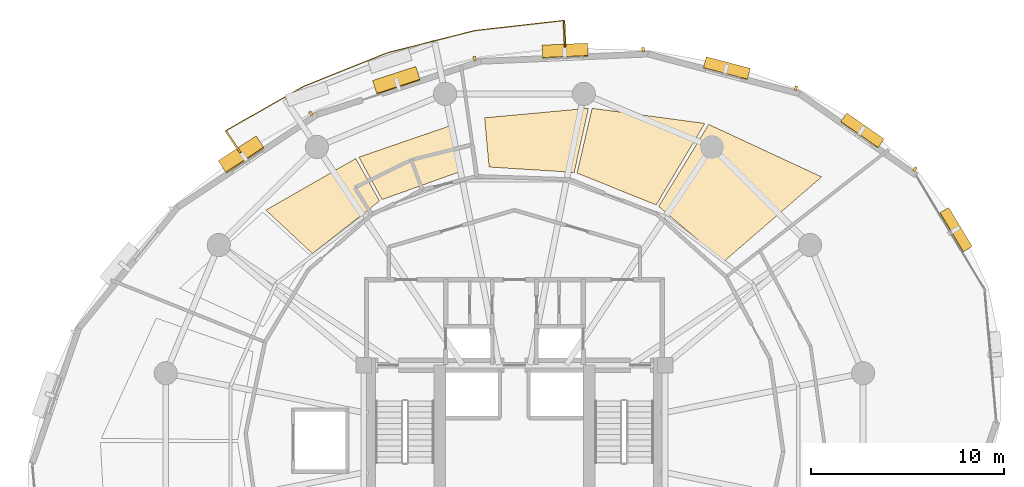
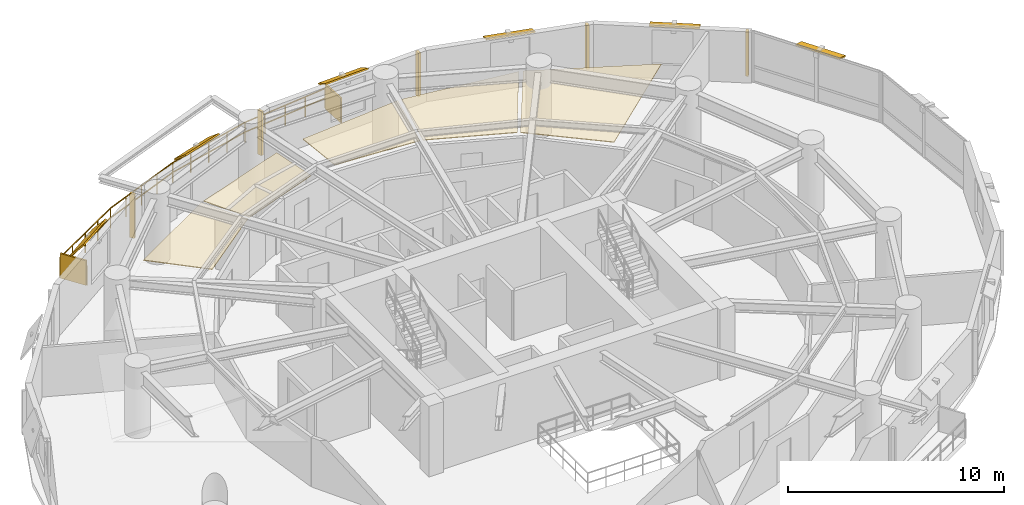
# One storey, part 15 of 15: 13 shading devices, 5 coverings, 1 railing.
"""IFC4 building model written with IfcOpenShell, lengths in metres."""

from ifc_helpers import new_model, si_unit, direction, frame, origin, origin_2d, place, context, subcontext, project, spatial, polyline, rectangle, outline, extrude, material, layer, layer_set, type_object, element, save


model = new_model("IFC4")

# Units and contexts
model_context = context("Model", 3, precision=1e-05, world=origin(), true_north=direction((0.0, 1.0)))
body_context = subcontext(model_context, "Body", "Model", "MODEL_VIEW")
ifc_project = project(units=[si_unit("LENGTHUNIT", "METRE"), si_unit("AREAUNIT", "SQUARE_METRE"), si_unit("VOLUMEUNIT", "CUBIC_METRE"), si_unit("PLANEANGLEUNIT", "RADIAN"), si_unit("MASSUNIT", "GRAM", prefix="KILO"), si_unit("THERMODYNAMICTEMPERATUREUNIT", "KELVIN"), si_unit("POWERUNIT", "WATT")], contexts=[model_context])

# Site, building, storey
site_placement = place(None, origin())
site = spatial("IfcSite", under=ifc_project, at=site_placement, CompositionType="ELEMENT")
building_placement = place(site_placement, origin())
building = spatial("IfcBuilding", under=site, at=building_placement, Name="Ocrelia Relay Tower", CompositionType="ELEMENT")
storey_placement = place(building_placement, frame((0.0, 0.0, 109.800048828125)))
storey = spatial("IfcBuildingStorey", under=building, at=storey_placement, Name="L25", CompositionType="ELEMENT", Elevation=109.800048828125)

# Coverings
ifc_material_1 = material(Name="Mineral-fiber acoustic ceiling tile", Category="gypsum")
ifc_layer_1 = layer(ifc_material_1, 0.0400390625, Name="Mineral-fiber acoustic ceiling tile")
ifc_layer_set_1 = layer_set([ifc_layer_1], Name="Mineral-fiber acoustic ceiling tile")
covering_type = type_object("IfcCoveringType", Name="COV-CEIL-ACOUSTIC", PredefinedType="CEILING", material=ifc_layer_set_1)
covering_1_placement = place(storey_placement, frame((0.0, 0.0, 2.719970703125)))
element("IfcCovering", 1, at=covering_1_placement, inside=storey, type_object=covering_type, Name="L25 Network Engineering Office A Suspended Ceiling 1", PredefinedType="CEILING", context=body_context, shape_type="SweptSolid", body=[
    extrude(outline(polyline([(31.304443359375, 40.06396484375), (30.845703125, 42.457763671875), (25.951416015625, 40.772216796875), (27.148681640625, 38.57470703125), (31.304443359375, 40.06396484375)])), origin(), (0.0, 0.0, 1.0), 0.0400390625),
])
covering_2_placement = place(storey_placement, frame((0.0, 0.0, 2.719970703125)))
element("IfcCovering", 2, at=covering_2_placement, inside=storey, type_object=covering_type, Name="L25 Network Engineering Office A Suspended Ceiling 2", PredefinedType="CEILING", context=body_context, shape_type="SweptSolid", body=[
    extrude(outline(polyline([(27.017578125, 38.502197265625), (25.790283203125, 40.69970703125), (21.134765625, 38.031982421875), (23.541259765625, 35.781494140625), (27.017578125, 38.502197265625)])), origin(), (0.0, 0.0, 1.0), 0.0400390625),
])
covering_3_placement = place(storey_placement, frame((0.0, 0.0, 2.719970703125)))
element("IfcCovering", 3, at=covering_3_placement, inside=storey, type_object=covering_type, Name="L25 Shift Staff Lounge Suspended Ceiling 1", PredefinedType="CEILING", context=body_context, shape_type="SweptSolid", body=[
    extrude(outline(polyline([(44.83203125, 35.366455078125), (49.901611328125, 39.750244140625), (44.056884765625, 42.46484375), (41.46435546875, 38.220703125), (44.83203125, 35.366455078125)])), origin(), (0.0, 0.0, 1.0), 0.0400390625),
])
covering_4_placement = place(storey_placement, frame((0.0, 0.0, 2.719970703125)))
element("IfcCovering", 4, at=covering_4_placement, inside=storey, type_object=covering_type, Name="L25 Shift Staff Lounge Suspended Ceiling 2", PredefinedType="CEILING", context=body_context, shape_type="SweptSolid", body=[
    extrude(outline(polyline([(41.3359375, 38.298095703125), (43.854248046875, 42.519775390625), (38.020751953125, 43.30126953125), (37.24169921875, 39.9482421875), (41.3359375, 38.298095703125)])), origin(), (0.0, 0.0, 1.0), 0.0400390625),
])
covering_5_placement = place(storey_placement, frame((0.0, 0.0, 2.719970703125)))
element("IfcCovering", 5, at=covering_5_placement, inside=storey, type_object=covering_type, Name="L25 Shift Staff Lounge Suspended Ceiling 3", PredefinedType="CEILING", context=body_context, shape_type="SweptSolid", body=[
    extrude(outline(polyline([(37.09521484375, 39.9814453125), (37.830810546875, 43.303466796875), (32.455322265625, 42.81005859375), (32.689697265625, 40.260009765625), (37.09521484375, 39.9814453125)])), origin(), (0.0, 0.0, 1.0), 0.0400390625),
])

# Railing
ifc_material_2 = material(Name="Steel S355 balustrade", Category="steel")
railing_type = type_object("IfcRailingType", Name="RL-EXT-GUARD-1150", PredefinedType="GUARDRAIL", material=ifc_material_2)
railing_placement = place(storey_placement, frame((19.82861328125, 40.981201171875, 0.0)))
element("IfcRailing", 6, at=railing_placement, inside=storey, type_object=railing_type, Name="L25 Loggia Balcony Guard Rail B1", PredefinedType="GUARDRAIL", context=body_context, shape_type="SweptSolid", body=[
    extrude(rectangle(XDim=0.048095703125, YDim=0.048095703125, at=origin_2d()), frame((0.0, 0.0, 1.1259765625), z_axis=(-0.554902349709, 0.831915489871, 0.0), x_axis=(-0.831915489871, -0.554902349709, 0.0)), (0.0, 0.0, 1.0), 1.393310546875),
    extrude(rectangle(XDim=0.048095703125, YDim=0.048095703125, at=origin_2d()), frame((0.0, 0.0, 0.574951171875), z_axis=(-0.554902349709, 0.831915489871, 0.0), x_axis=(-0.831915489871, -0.554902349709, 0.0)), (0.0, 0.0, 1.0), 1.393310546875),
    extrude(rectangle(XDim=0.048095703125, YDim=0.048095703125, at=origin_2d()), frame((-0.773193359375, 1.1591796875, 1.1259765625), z_axis=(0.868884753161, 0.495014429813, 0.0), x_axis=(-0.495014429813, 0.868884753161, 0.0)), (0.0, 0.0, 1.0), 2.315673828125),
    extrude(rectangle(XDim=0.048095703125, YDim=0.048095703125, at=origin_2d()), frame((-0.773193359375, 1.1591796875, 0.574951171875), z_axis=(0.868884753161, 0.495014429813, 0.0), x_axis=(-0.495014429813, 0.868884753161, 0.0)), (0.0, 0.0, 1.0), 2.315673828125),
    extrude(rectangle(XDim=0.048095703125, YDim=0.048095703125, at=origin_2d()), frame((1.23876953125, 2.305419921875, 1.1259765625), z_axis=(0.868865242424, 0.495048674887, 0.0), x_axis=(-0.495048674887, 0.868865242424, 0.0)), (0.0, 0.0, 1.0), 2.31591796875),
    extrude(rectangle(XDim=0.048095703125, YDim=0.048095703125, at=origin_2d()), frame((1.23876953125, 2.305419921875, 0.574951171875), z_axis=(0.868865242424, 0.495048674887, 0.0), x_axis=(-0.495048674887, 0.868865242424, 0.0)), (0.0, 0.0, 1.0), 2.31591796875),
    extrude(rectangle(XDim=0.048095703125, YDim=0.048095703125, at=origin_2d()), frame((3.2509765625, 3.451904296875, 1.1259765625), z_axis=(0.927900195964, 0.372828682278, 0.0), x_axis=(-0.372828682278, 0.927900195964, 0.0)), (0.0, 0.0, 1.0), 4.68212890625),
    extrude(rectangle(XDim=0.048095703125, YDim=0.048095703125, at=origin_2d()), frame((3.2509765625, 3.451904296875, 0.574951171875), z_axis=(0.927900195964, 0.372828682278, 0.0), x_axis=(-0.372828682278, 0.927900195964, 0.0)), (0.0, 0.0, 1.0), 4.68212890625),
    extrude(rectangle(XDim=0.048095703125, YDim=0.048095703125, at=origin_2d()), frame((7.595458984375, 5.197509765625, 1.1259765625), z_axis=(0.969411192098, 0.245442336679, 0.0), x_axis=(-0.245442336679, 0.969411192098, 0.0)), (0.0, 0.0, 1.0), 4.68212890625),
    extrude(rectangle(XDim=0.048095703125, YDim=0.048095703125, at=origin_2d()), frame((7.595458984375, 5.197509765625, 0.574951171875), z_axis=(0.969411192098, 0.245442336679, 0.0), x_axis=(-0.245442336679, 0.969411192098, 0.0)), (0.0, 0.0, 1.0), 4.68212890625),
    extrude(rectangle(XDim=0.048095703125, YDim=0.048095703125, at=origin_2d()), frame((12.13427734375, 6.3466796875, 1.1259765625), z_axis=(0.993701122452, 0.112062836109, 0.0), x_axis=(-0.112062836109, 0.993701122452, 0.0)), (0.0, 0.0, 1.0), 2.31591796875),
    extrude(rectangle(XDim=0.048095703125, YDim=0.048095703125, at=origin_2d()), frame((12.13427734375, 6.3466796875, 0.574951171875), z_axis=(0.993701122452, 0.112062836109, 0.0), x_axis=(-0.112062836109, 0.993701122452, 0.0)), (0.0, 0.0, 1.0), 2.31591796875),
    extrude(rectangle(XDim=0.048095703125, YDim=0.048095703125, at=origin_2d()), frame((14.435546875, 6.606201171875, 1.1259765625), z_axis=(0.993712856534, 0.11195873686, 0.0), x_axis=(-0.11195873686, 0.993712856534, 0.0)), (0.0, 0.0, 1.0), 2.31591796875),
    extrude(rectangle(XDim=0.048095703125, YDim=0.048095703125, at=origin_2d()), frame((14.435546875, 6.606201171875, 0.574951171875), z_axis=(0.993712856534, 0.11195873686, 0.0), x_axis=(-0.11195873686, 0.993712856534, 0.0)), (0.0, 0.0, 1.0), 2.31591796875),
    extrude(rectangle(XDim=0.048095703125, YDim=0.048095703125, at=origin_2d()), frame((16.73681640625, 6.865478515625, 1.1259765625), z_axis=(0.041696128443, -0.999130338281, 0.0), x_axis=(0.999130338281, 0.041696128443, 0.0)), (0.0, 0.0, 1.0), 1.3935546875),
    extrude(rectangle(XDim=0.048095703125, YDim=0.048095703125, at=origin_2d()), frame((16.73681640625, 6.865478515625, 0.574951171875), z_axis=(0.041696128443, -0.999130338281, 0.0), x_axis=(0.999130338281, 0.041696128443, 0.0)), (0.0, 0.0, 1.0), 1.3935546875),
    extrude(rectangle(XDim=0.0419921875, YDim=0.0419921875, at=origin_2d()), origin(), (0.0, 0.0, 1.0), 1.101806640625),
    extrude(rectangle(XDim=0.0419921875, YDim=0.0419921875, at=origin_2d()), frame((-0.38671875, 0.57958984375, 0.0)), (0.0, 0.0, 1.0), 1.101806640625),
    extrude(rectangle(XDim=0.0419921875, YDim=0.0419921875, at=origin_2d()), frame((-0.773193359375, 1.1591796875, 0.0)), (0.0, 0.0, 1.0), 1.101806640625),
    extrude(rectangle(XDim=0.0419921875, YDim=0.0419921875, at=origin_2d()), frame((0.23291015625, 1.732421875, 0.0)), (0.0, 0.0, 1.0), 1.101806640625),
    extrude(rectangle(XDim=0.0419921875, YDim=0.0419921875, at=origin_2d()), frame((1.23876953125, 2.305419921875, 0.0)), (0.0, 0.0, 1.0), 1.101806640625),
    extrude(rectangle(XDim=0.0419921875, YDim=0.0419921875, at=origin_2d()), frame((2.244873046875, 2.878662109375, 0.0)), (0.0, 0.0, 1.0), 1.101806640625),
    extrude(rectangle(XDim=0.0419921875, YDim=0.0419921875, at=origin_2d()), frame((3.2509765625, 3.451904296875, 0.0)), (0.0, 0.0, 1.0), 1.101806640625),
    extrude(rectangle(XDim=0.0419921875, YDim=0.0419921875, at=origin_2d()), frame((4.337158203125, 3.88818359375, 0.0)), (0.0, 0.0, 1.0), 1.101806640625),
    extrude(rectangle(XDim=0.0419921875, YDim=0.0419921875, at=origin_2d()), frame((5.42333984375, 4.32470703125, 0.0)), (0.0, 0.0, 1.0), 1.101806640625),
    extrude(rectangle(XDim=0.0419921875, YDim=0.0419921875, at=origin_2d()), frame((6.50927734375, 4.76123046875, 0.0)), (0.0, 0.0, 1.0), 1.101806640625),
    extrude(rectangle(XDim=0.0419921875, YDim=0.0419921875, at=origin_2d()), frame((7.595458984375, 5.197509765625, 0.0)), (0.0, 0.0, 1.0), 1.101806640625),
    extrude(rectangle(XDim=0.0419921875, YDim=0.0419921875, at=origin_2d()), frame((8.730224609375, 5.48486328125, 0.0)), (0.0, 0.0, 1.0), 1.101806640625),
    extrude(rectangle(XDim=0.0419921875, YDim=0.0419921875, at=origin_2d()), frame((9.86474609375, 5.77197265625, 0.0)), (0.0, 0.0, 1.0), 1.101806640625),
    extrude(rectangle(XDim=0.0419921875, YDim=0.0419921875, at=origin_2d()), frame((10.99951171875, 6.059326171875, 0.0)), (0.0, 0.0, 1.0), 1.101806640625),
    extrude(rectangle(XDim=0.0419921875, YDim=0.0419921875, at=origin_2d()), frame((12.13427734375, 6.3466796875, 0.0)), (0.0, 0.0, 1.0), 1.101806640625),
    extrude(rectangle(XDim=0.0419921875, YDim=0.0419921875, at=origin_2d()), frame((13.284912109375, 6.4765625, 0.0)), (0.0, 0.0, 1.0), 1.101806640625),
    extrude(rectangle(XDim=0.0419921875, YDim=0.0419921875, at=origin_2d()), frame((14.435546875, 6.606201171875, 0.0)), (0.0, 0.0, 1.0), 1.101806640625),
    extrude(rectangle(XDim=0.0419921875, YDim=0.0419921875, at=origin_2d()), frame((15.586181640625, 6.73583984375, 0.0)), (0.0, 0.0, 1.0), 1.101806640625),
    extrude(rectangle(XDim=0.0419921875, YDim=0.0419921875, at=origin_2d()), frame((16.73681640625, 6.865478515625, 0.0)), (0.0, 0.0, 1.0), 1.101806640625),
    extrude(rectangle(XDim=0.0419921875, YDim=0.0419921875, at=origin_2d()), frame((16.765869140625, 6.16943359375, 0.0)), (0.0, 0.0, 1.0), 1.101806640625),
    extrude(rectangle(XDim=0.0419921875, YDim=0.0419921875, at=origin_2d()), frame((16.794921875, 5.47314453125, 0.0)), (0.0, 0.0, 1.0), 1.101806640625),
])

# Shading devices
ifc_material_3 = material(Name="Perforated oxide terracotta solar screen", Category="masonry")
ifc_layer_2 = layer(ifc_material_3, 0.090087890625, Name="Perforated oxide terracotta solar screen")
ifc_layer_set_2 = layer_set([ifc_layer_2], Name="Perforated oxide terracotta solar screen")
shading_device_type_1 = type_object("IfcShadingDeviceType", Name="SH-BALC-SCREEN", PredefinedType="USERDEFINED", material=ifc_layer_set_2)
for number, where, z_axis, x_axis, name in (
    (7, (36.594482421875, 47.150390625, 0.0), (0.0, 0.0, 1.0), (-0.041764862886, 0.999127467458, 0.0), "L25 Balcony Perforated Terracotta Screen B1-1"),
    (8, (19.44189453125, 41.560791015625, 0.0), (0.0, 0.0, 1.0), (-0.554898918519, 0.831917778526, 0.0), "L25 Balcony Perforated Terracotta Screen B1-2"),
):
    element("IfcShadingDevice", number, at=place(storey_placement, frame(where, z_axis=z_axis, x_axis=x_axis)), inside=storey, type_object=shading_device_type_1, Name=name, ObjectType="SCREEN", PredefinedType="USERDEFINED", context=body_context, shape_type="SweptSolid", body=[
        extrude(rectangle(XDim=1.340087890625, YDim=0.090087890625, at=origin_2d()), origin(), (0.0, 0.0, 1.0), 1.39990234375),
    ])
ifc_material_4 = material(Name="Extruded oxide terracotta vertical baguette", Category="masonry")
shading_device_type_2 = type_object("IfcShadingDeviceType", Name="SH-TERR-BAGUETTE", PredefinedType="USERDEFINED", material=ifc_material_4)
for number, where, z_axis, x_axis, name in (
    (9, (54.72998046875, 40.1533203125, 0.199951171875), (0.0, 0.0, 1.0), (-0.819851198105, 0.572576643749, 0.0), "L25 Oxide Terracotta Vertical Baguette 02"),
    (10, (48.568115234375, 44.338134765625, 0.199951171875), (0.0, 0.0, 1.0), (-0.96740717635, 0.253225897464, 0.0), "L25 Oxide Terracotta Vertical Baguette 03"),
    (11, (40.660888671875, 46.32421875, 0.199951171875), (0.0, 0.0, 1.0), (-0.999064298858, -0.043249586665, 0.0), "L25 Oxide Terracotta Vertical Baguette 04"),
    (12, (31.9462890625, 45.8740234375, 0.199951171875), (0.0, 0.0, 1.0), (-0.950786541625, -0.309846659278, 0.0), "L25 Oxide Terracotta Vertical Baguette 05"),
    (13, (23.46533203125, 43.033447265625, 0.199951171875), (0.0, 0.0, 1.0), (-0.832713130863, -0.553704652038, 0.0), "L25 Oxide Terracotta Vertical Baguette 06"),
):
    element("IfcShadingDevice", number, at=place(storey_placement, frame(where, z_axis=z_axis, x_axis=x_axis)), inside=storey, type_object=shading_device_type_2, Name=name, ObjectType="BAGUETTE", PredefinedType="USERDEFINED", context=body_context, shape_type="SweptSolid", body=[
        extrude(rectangle(XDim=0.139892578125, YDim=0.239990234375, at=origin_2d()), origin(), (0.0, 0.0, 1.0), 2.5),
    ])
ifc_material_5 = material(Name="Extruded oxide terracotta fin", Category="masonry")
ifc_layer_3 = layer(ifc_material_5, 0.080078125, Name="Extruded oxide terracotta fin")
ifc_layer_set_3 = layer_set([ifc_layer_3], Name="Extruded oxide terracotta fin")
shading_device_type_3 = type_object("IfcShadingDeviceType", Name="SH-VISOR-FIN-MED", PredefinedType="USERDEFINED", material=ifc_layer_set_3)
shading_device_1_placement = place(storey_placement, frame((27.899169921875, 44.720703125, 2.708984375), z_axis=(-0.19541279202, 0.599638069834, 0.776046407067), x_axis=(-0.950786541625, -0.309846659278, 0.0)))
element("IfcShadingDevice", 14, at=shading_device_1_placement, inside=storey, type_object=shading_device_type_3, Name="L25 Canted Terracotta Sun-Visor Fin 05", ObjectType="FIN", PredefinedType="USERDEFINED", context=body_context, shape_type="SweptSolid", body=[
    extrude(rectangle(XDim=2.35009765625, YDim=0.902099609375, at=origin_2d()), origin(), (0.0, 0.0, 1.0), 0.080078125),
])
shading_device_2_placement = place(storey_placement, frame((19.880859375, 40.88330078125, 2.714111328125), z_axis=(-0.421729931274, 0.634237133744, 0.647986977684), x_axis=(-0.832713130863, -0.553704652038, 0.0)))
element("IfcShadingDevice", 15, at=shading_device_2_placement, inside=storey, type_object=shading_device_type_3, Name="L25 Canted Terracotta Sun-Visor Fin 06", ObjectType="FIN", PredefinedType="USERDEFINED", context=body_context, shape_type="SweptSolid", body=[
    extrude(rectangle(XDim=2.35009765625, YDim=1.076904296875, at=origin_2d()), origin(), (0.0, 0.0, 1.0), 0.080078125),
])
ifc_layer_4 = layer(ifc_material_5, 0.080078125, Name="Extruded oxide terracotta fin")
ifc_layer_set_4 = layer_set([ifc_layer_4], Name="Extruded oxide terracotta fin")
shading_device_type_4 = type_object("IfcShadingDeviceType", Name="SH-VISOR-FIN-SHAL", PredefinedType="USERDEFINED", material=ifc_layer_set_4)
shading_device_3_placement = place(storey_placement, frame((56.840087890625, 37.009765625, 2.701904296875), z_axis=(0.264826765958, 0.159242854926, 0.951056516295), x_axis=(-0.51532070347, 0.856997416901, 0.0)))
element("IfcShadingDevice", 16, at=shading_device_3_placement, inside=storey, type_object=shading_device_type_4, Name="L25 Canted Terracotta Sun-Visor Fin 01", ObjectType="FIN", PredefinedType="USERDEFINED", context=body_context, shape_type="SweptSolid", body=[
    extrude(rectangle(XDim=2.35009765625, YDim=0.550048828125, at=origin_2d()), origin(), (0.0, 0.0, 1.0), 0.080078125),
])
shading_device_4_placement = place(storey_placement, frame((51.998291015625, 42.143310546875, 2.7021484375), z_axis=(0.186790631566, 0.267458557306, 0.945291055751), x_axis=(-0.819851198105, 0.572576643749, 0.0)))
element("IfcShadingDevice", 17, at=shading_device_4_placement, inside=storey, type_object=shading_device_type_4, Name="L25 Canted Terracotta Sun-Visor Fin 02", ObjectType="FIN", PredefinedType="USERDEFINED", context=body_context, shape_type="SweptSolid", body=[
    extrude(rectangle(XDim=2.35009765625, YDim=0.56689453125, at=origin_2d()), origin(), (0.0, 0.0, 1.0), 0.080078125),
])
shading_device_5_placement = place(storey_placement, frame((44.987548828125, 45.356201171875, 2.702880859375), z_axis=(0.096660310414, 0.369274544584, 0.924279771018), x_axis=(-0.96740717635, 0.253225897464, 0.0)))
element("IfcShadingDevice", 18, at=shading_device_5_placement, inside=storey, type_object=shading_device_type_4, Name="L25 Canted Terracotta Sun-Visor Fin 03", ObjectType="FIN", PredefinedType="USERDEFINED", context=body_context, shape_type="SweptSolid", body=[
    extrude(rectangle(XDim=2.35009765625, YDim=0.6240234375, at=origin_2d()), origin(), (0.0, 0.0, 1.0), 0.080078125),
])
shading_device_6_placement = place(storey_placement, frame((36.6259765625, 46.2607421875, 2.705078125), z_axis=(-0.021066774418, 0.486641927375, 0.873347482699), x_axis=(-0.999064298858, -0.043249586665, 0.0)))
element("IfcShadingDevice", 19, at=shading_device_6_placement, inside=storey, type_object=shading_device_type_4, Name="L25 Canted Terracotta Sun-Visor Fin 04", ObjectType="FIN", PredefinedType="USERDEFINED", context=body_context, shape_type="SweptSolid", body=[
    extrude(rectangle(XDim=2.35009765625, YDim=0.736083984375, at=origin_2d()), origin(), (0.0, 0.0, 1.0), 0.080078125),
])

save(model, "model.ifc")
